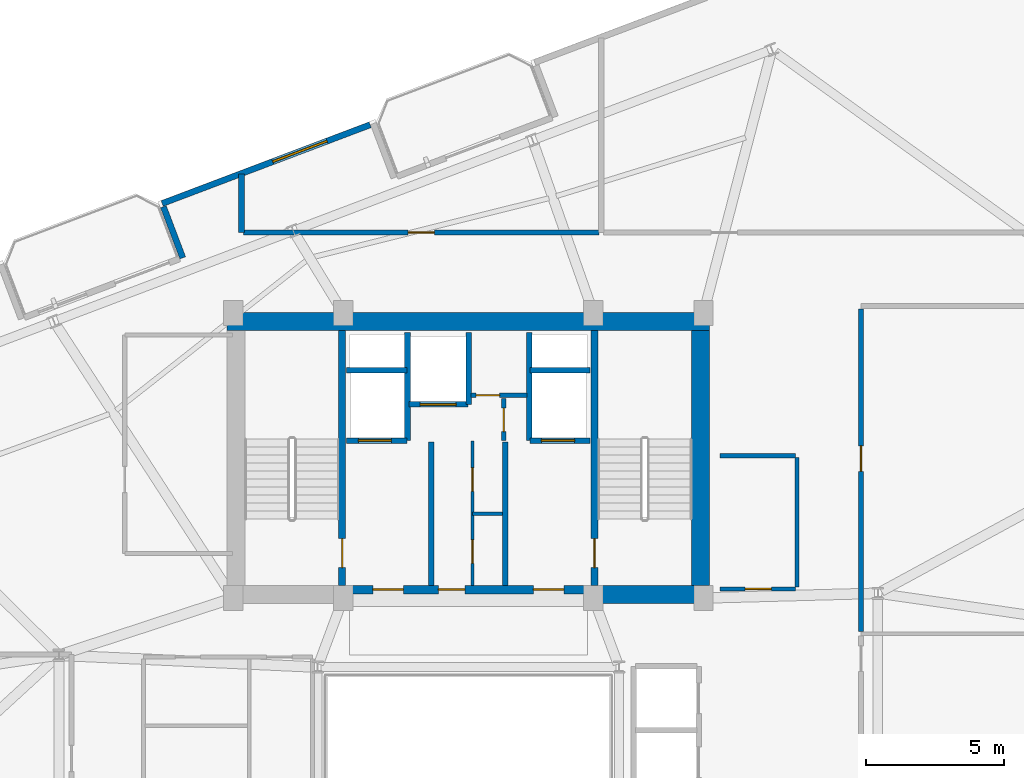
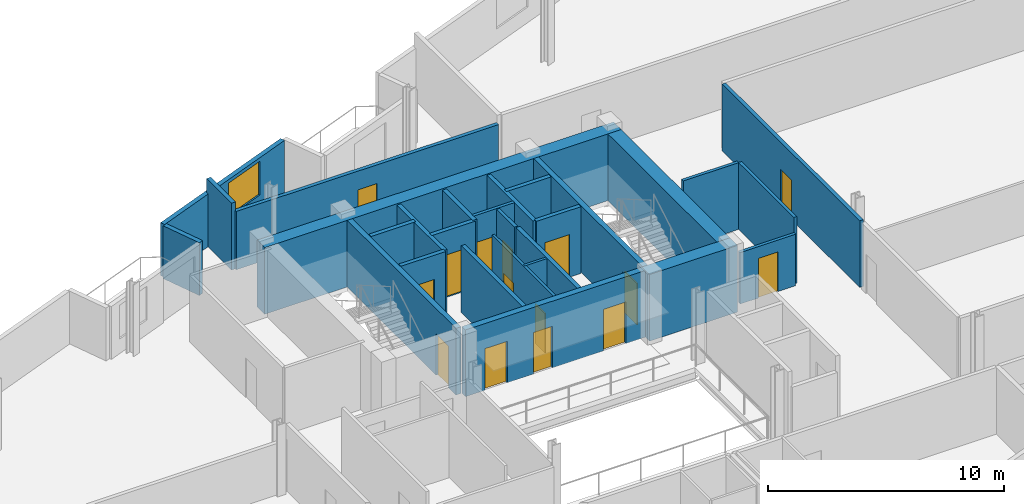
# One storey, part 16 of 19: 28 walls, 15 doors, 1 window, 16 openings.
"""IFC4 building model written with IfcOpenShell, lengths in metres."""

from ifc_helpers import new_model, si_unit, direction, frame, frame_2d, origin, place, context, subcontext, project, spatial, rectangle, extrude, material, layer, layer_set, type_object, element, fill, save


model = new_model("IFC4")

# Units and contexts
model_context = context("Model", 3, precision=1e-05, world=origin(), true_north=direction((0.0, 1.0)))
body_context = subcontext(model_context, "Body", "Model", "MODEL_VIEW")
ifc_project = project(units=[si_unit("LENGTHUNIT", "METRE"), si_unit("AREAUNIT", "SQUARE_METRE"), si_unit("VOLUMEUNIT", "CUBIC_METRE"), si_unit("PLANEANGLEUNIT", "RADIAN"), si_unit("MASSUNIT", "GRAM", prefix="KILO")], contexts=[model_context])

# Site, building, storey
site_placement = place(None, origin())
site = spatial("IfcSite", under=ifc_project, at=site_placement, CompositionType="ELEMENT")
building_placement = place(site_placement, origin())
building = spatial("IfcBuilding", under=site, at=building_placement, Name="Varnelok Gate Tower", CompositionType="ELEMENT")
storey_placement = place(building_placement, frame((0.0, 0.0, 246.0)))
storey = spatial("IfcBuildingStorey", under=building, at=storey_placement, Name="L63", CompositionType="ELEMENT", Elevation=246.0)

# Wall, opening, window
ifc_material_1 = material(Name="Concrete C45/55", Category="concrete")
ifc_layer_1 = layer(ifc_material_1, 0.219970703125)
ifc_layer_set_1 = layer_set([ifc_layer_1], Name="Concrete C45/55")
wall_type_1 = type_object("IfcWallType", Name="EW-BALC-220", PredefinedType="SOLIDWALL", material=ifc_layer_set_1)
wall_1_placement = place(storey_placement, frame((35.647705078125, 45.853515625, 0.0), z_axis=(0.0, 0.0, 1.0), x_axis=(-0.935230796934, -0.354038636968, 0.0)))
wall_1 = element("IfcWall", 1, at=wall_1_placement, inside=storey, type_object=wall_type_1, Name="L63 Perimeter Facade Closure Wall 29", PredefinedType="SOLIDWALL", context=body_context, shape_type="SweptSolid", body=[
    extrude(rectangle(XDim=8.03515625, YDim=0.219970703125, at=frame_2d((4.017578125, 0.0))), origin(), (0.0, 0.0, 1.0), 2.72998046875),
])
opening_1_placement = place(wall_1_placement, frame((1.661865234375, 0.0, 0.800048828125)))
opening_1 = element("IfcOpeningElement", 2, at=opening_1_placement, cuts=wall_1, Name="Opening WN4", PredefinedType="OPENING", context=body_context, shape_type="SweptSolid", body=[
    extrude(rectangle(XDim=2.10009765625, YDim=1.75, at=frame_2d((1.050048828125, 0.875))), frame((0.0, 0.119873046875, 0.0), z_axis=(0.0, -1.0, 0.0), x_axis=(1.0, 0.0, 0.0)), (0.0, 0.0, 1.0), 0.239990234375),
])
ifc_material_2 = material(Name="Low-E Laminated Double Glazing IGU", Category="glass")
window_type = type_object("IfcWindowType", Name="WN-SUI-2100", PartitioningType="SINGLE_PANEL", PredefinedType="WINDOW", material=ifc_material_2)
window_placement = place(opening_1_placement, origin())
window = element("IfcWindow", 3, at=window_placement, inside=storey, type_object=window_type, Name="L63 Perimeter Vision Window 29", OverallHeight=1.75, OverallWidth=2.10009765625, PartitioningType="SINGLE_PANEL", PredefinedType="WINDOW", context=body_context, shape_type="SweptSolid", body=[
    extrude(rectangle(XDim=2.10009765625, YDim=1.75, at=frame_2d((1.050048828125, 0.875))), frame((0.0, 0.030029296875, 0.0), z_axis=(0.0, -1.0, 0.0), x_axis=(1.0, 0.0, 0.0)), (0.0, 0.0, 1.0), 0.06005859375),
])
fill(opening_1, window)

# Wall
wall_2_placement = place(storey_placement, frame((28.177490234375, 42.891845703125, 0.0), z_axis=(0.0, 0.0, 1.0), x_axis=(0.354061611705, -0.935222099352, 0.0)))
element("IfcWall", 4, at=wall_2_placement, inside=storey, type_object=wall_type_1, Name="L63 Perimeter Facade Closure Wall 30", PredefinedType="SOLIDWALL", context=body_context, shape_type="SweptSolid", body=[
    extrude(rectangle(XDim=1.974853515625, YDim=0.219970703125, at=frame_2d((0.9873046875, 0.0))), origin(), (0.0, 0.0, 1.0), 2.72998046875),
])

# Wall, opening, door
ifc_material_3 = material(Name="Gypsum Plasterboard Acoustic Partition", Category="gypsum")
ifc_layer_2 = layer(ifc_material_3, 0.179931640625)
ifc_layer_set_2 = layer_set([ifc_layer_2], Name="Gypsum Plasterboard Acoustic Partition")
wall_type_2 = type_object("IfcWallType", Name="PW-CORR-180", PredefinedType="PARTITIONING", material=ifc_layer_set_2)
wall_3_placement = place(storey_placement, frame((31.080078125, 41.9599609375, 0.0), z_axis=(0.0, 0.0, 1.0), x_axis=(1.0, 0.0, 0.0)))
wall_3 = element("IfcWall", 5, at=wall_3_placement, inside=storey, type_object=wall_type_2, Name="Interior Partition", PredefinedType="PARTITIONING", context=body_context, shape_type="SweptSolid", body=[
    extrude(rectangle(XDim=12.83984375, YDim=0.179931640625, at=frame_2d((6.419921875, 0.0))), origin(), (0.0, 0.0, 1.0), 3.01806640625),
])
opening_2_placement = place(wall_3_placement, frame((5.945068359375, 0.0, 0.0)))
opening_2 = element("IfcOpeningElement", 6, at=opening_2_placement, cuts=wall_3, Name="Opening D-I2", PredefinedType="OPENING", context=body_context, shape_type="SweptSolid", body=[
    extrude(rectangle(XDim=0.949951171875, YDim=2.050048828125, at=frame_2d((0.47509765625, 1.02490234375))), frame((0.0, 0.099853515625, 0.0), z_axis=(0.0, -1.0, 0.0), x_axis=(1.0, 0.0, 0.0)), (0.0, 0.0, 1.0), 0.199951171875),
])
ifc_material_4 = material(Name="Engineered Hardwood Timber", Category="wood")
door_type_1 = type_object("IfcDoorType", Name="DR-INT-950", OperationType="NOTDEFINED", PredefinedType="DOOR", material=ifc_material_4)
door_1_placement = place(opening_2_placement, origin())
door_1 = element("IfcDoor", 7, at=door_1_placement, inside=storey, type_object=door_type_1, Name="L63 Hotel Fitness Studio Door", OperationType="SINGLE_SWING_LEFT", OverallHeight=2.050048828125, OverallWidth=0.949951171875, PredefinedType="DOOR", context=body_context, shape_type="SweptSolid", body=[
    extrude(rectangle(XDim=0.949951171875, YDim=2.050048828125, at=frame_2d((0.47509765625, 1.02490234375))), frame((0.0, 0.02490234375, 0.0), z_axis=(0.0, -1.0, 0.0), x_axis=(1.0, 0.0, 0.0)), (0.0, 0.0, 1.0), 0.050048828125),
])
fill(opening_2, door_1)

wall_4_placement = place(storey_placement, frame((53.389892578125, 27.530029296875, 0.0), z_axis=(0.0, 0.0, 1.0), x_axis=(0.0, 1.0, 0.0)))
wall_4 = element("IfcWall", 8, at=wall_4_placement, inside=storey, type_object=wall_type_2, Name="Interior Partition", PredefinedType="PARTITIONING", context=body_context, shape_type="SweptSolid", body=[
    extrude(rectangle(XDim=11.669921875, YDim=0.179931640625, at=frame_2d((5.8349609375, 0.0))), origin(), (0.0, 0.0, 1.0), 3.449951171875),
])
opening_3_placement = place(wall_4_placement, frame((5.800048828125, 0.0, 0.0)))
opening_3 = element("IfcOpeningElement", 9, at=opening_3_placement, cuts=wall_4, Name="Opening D-I3", PredefinedType="OPENING", context=body_context, shape_type="SweptSolid", body=[
    extrude(rectangle(XDim=0.919921875, YDim=2.050048828125, at=frame_2d((0.4599609375, 1.02490234375))), frame((0.0, 0.099853515625, 0.0), z_axis=(0.0, -1.0, 0.0), x_axis=(1.0, 0.0, 0.0)), (0.0, 0.0, 1.0), 0.199951171875),
])
door_type_2 = type_object("IfcDoorType", Name="DR-INT-920", OperationType="NOTDEFINED", PredefinedType="DOOR", material=ifc_material_4)
door_2_placement = place(opening_3_placement, origin())
door_2 = element("IfcDoor", 10, at=door_2_placement, inside=storey, type_object=door_type_2, Name="L63 East Suite 2 Door", OperationType="SINGLE_SWING_RIGHT", OverallHeight=2.050048828125, OverallWidth=0.919921875, PredefinedType="DOOR", context=body_context, shape_type="SweptSolid", body=[
    extrude(rectangle(XDim=0.919921875, YDim=2.050048828125, at=frame_2d((0.4599609375, 1.02490234375))), frame((0.0, 0.02490234375, 0.0), z_axis=(0.0, -1.0, 0.0), x_axis=(1.0, 0.0, 0.0)), (0.0, 0.0, 1.0), 0.050048828125),
])
fill(opening_3, door_2)

# Wall
ifc_layer_3 = layer(ifc_material_3, 0.125)
ifc_layer_set_3 = layer_set([ifc_layer_3], Name="Gypsum Plasterboard Acoustic Partition")
wall_type_3 = type_object("IfcWallType", Name="PW-PART-125", PredefinedType="PARTITIONING", material=ifc_layer_set_3)
wall_5_placement = place(storey_placement, frame((39.35009765625, 31.800048828125, 0.0), z_axis=(0.0, 0.0, 1.0), x_axis=(1.0, 0.0, 0.0)))
element("IfcWall", 11, at=wall_5_placement, inside=storey, type_object=wall_type_3, Name="Interior Partition", PredefinedType="PARTITIONING", context=body_context, shape_type="SweptSolid", body=[
    extrude(rectangle(XDim=1.08984375, YDim=0.125, at=frame_2d((0.544921875, 0.0))), origin(), (0.0, 0.0, 1.0), 3.449951171875),
])

# Wall, openings, doors
wall_6_placement = place(storey_placement, frame((39.35009765625, 29.199951171875, 0.0), z_axis=(0.0, 0.0, 1.0), x_axis=(0.0, 1.0, 0.0)))
wall_6 = element("IfcWall", 12, at=wall_6_placement, inside=storey, type_object=wall_type_3, Name="Interior Partition", PredefinedType="PARTITIONING", context=body_context, shape_type="SweptSolid", body=[
    extrude(rectangle(XDim=5.219970703125, YDim=0.125, at=frame_2d((2.60986328125, 0.0))), origin(), (0.0, 0.0, 1.0), 3.449951171875),
])
opening_4_placement = place(wall_6_placement, frame((0.800048828125, 0.0, 0.0)))
opening_4 = element("IfcOpeningElement", 13, at=opening_4_placement, cuts=wall_6, Name="Opening D-RS", PredefinedType="OPENING", context=body_context, shape_type="SweptSolid", body=[
    extrude(rectangle(XDim=0.85009765625, YDim=2.050048828125, at=frame_2d((0.425048828125, 1.02490234375))), frame((0.0, 0.072509765625, 0.0), z_axis=(0.0, -1.0, 0.0), x_axis=(1.0, 0.0, 0.0)), (0.0, 0.0, 1.0), 0.14501953125),
])
opening_5_placement = place(wall_6_placement, frame((3.39990234375, 0.0, 0.0)))
opening_5 = element("IfcOpeningElement", 14, at=opening_5_placement, cuts=wall_6, Name="Opening D-RS", PredefinedType="OPENING", context=body_context, shape_type="SweptSolid", body=[
    extrude(rectangle(XDim=0.85009765625, YDim=2.050048828125, at=frame_2d((0.425048828125, 1.02490234375))), frame((0.0, 0.072509765625, 0.0), z_axis=(0.0, -1.0, 0.0), x_axis=(1.0, 0.0, 0.0)), (0.0, 0.0, 1.0), 0.14501953125),
])
ifc_material_5 = material(Name="Galvanized Steel Grade S350GD", Category="steel")
door_type_3 = type_object("IfcDoorType", Name="DR-RISER-850", OperationType="NOTDEFINED", PredefinedType="DOOR", material=ifc_material_5)
door_3_placement = place(opening_4_placement, origin())
door_3 = element("IfcDoor", 15, at=door_3_placement, inside=storey, type_object=door_type_3, Name="L63 Housekeeping Linen Door", OperationType="SINGLE_SWING_RIGHT", OverallHeight=2.050048828125, OverallWidth=0.85009765625, PredefinedType="DOOR", context=body_context, shape_type="SweptSolid", body=[
    extrude(rectangle(XDim=0.85009765625, YDim=2.050048828125, at=frame_2d((0.425048828125, 1.02490234375))), frame((0.0, 0.02490234375, 0.0), z_axis=(0.0, -1.0, 0.0), x_axis=(1.0, 0.0, 0.0)), (0.0, 0.0, 1.0), 0.050048828125),
])
fill(opening_4, door_3)
door_4_placement = place(opening_5_placement, origin())
door_4 = element("IfcDoor", 16, at=door_4_placement, inside=storey, type_object=door_type_3, Name="L63 Core Supply Door", OperationType="SINGLE_SWING_LEFT", OverallHeight=2.050048828125, OverallWidth=0.85009765625, PredefinedType="DOOR", context=body_context, shape_type="SweptSolid", body=[
    extrude(rectangle(XDim=0.85009765625, YDim=2.050048828125, at=frame_2d((0.425048828125, 1.02490234375))), frame((0.0, 0.02490234375, 0.0), z_axis=(0.0, -1.0, 0.0), x_axis=(1.0, 0.0, 0.0)), (0.0, 0.0, 1.0), 0.050048828125),
])
fill(opening_5, door_4)

# Wall, opening, door
ifc_layer_4 = layer(ifc_material_3, 0.14990234375)
ifc_layer_set_4 = layer_set([ifc_layer_4], Name="Gypsum Plasterboard Acoustic Partition")
wall_type_4 = type_object("IfcWallType", Name="PW-PART-150", PredefinedType="PARTITIONING", material=ifc_layer_set_4)
wall_7_placement = place(storey_placement, frame((39.300048828125, 36.080078125, 0.0), z_axis=(0.0, 0.0, 1.0), x_axis=(1.0, 0.0, 0.0)))
wall_7 = element("IfcWall", 17, at=wall_7_placement, inside=storey, type_object=wall_type_4, Name="L63 Electrical Closet South Wall", PredefinedType="PARTITIONING", context=body_context, shape_type="SweptSolid", body=[
    extrude(rectangle(XDim=2.02001953125, YDim=0.14990234375, at=frame_2d((1.010009765625, 0.0))), origin(), (0.0, 0.0, 1.0), 3.449951171875),
])
opening_6_placement = place(wall_7_placement, frame((0.179931640625, 0.0, 0.0)))
opening_6 = element("IfcOpeningElement", 18, at=opening_6_placement, cuts=wall_7, Name="Opening D-RS", PredefinedType="OPENING", context=body_context, shape_type="SweptSolid", body=[
    extrude(rectangle(XDim=0.85009765625, YDim=2.050048828125, at=frame_2d((0.425048828125, 1.02490234375))), frame((0.0, 0.0849609375, 0.0), z_axis=(0.0, -1.0, 0.0), x_axis=(1.0, 0.0, 0.0)), (0.0, 0.0, 1.0), 0.169921875),
])
door_5_placement = place(opening_6_placement, origin())
door_5 = element("IfcDoor", 19, at=door_5_placement, inside=storey, type_object=door_type_3, Name="L63 Electrical Closet Door", OperationType="SINGLE_SWING_RIGHT", OverallHeight=2.050048828125, OverallWidth=0.85009765625, PredefinedType="DOOR", context=body_context, shape_type="SweptSolid", body=[
    extrude(rectangle(XDim=0.85009765625, YDim=2.050048828125, at=frame_2d((0.425048828125, 1.02490234375))), frame((0.0, 0.02490234375, 0.0), z_axis=(0.0, -1.0, 0.0), x_axis=(1.0, 0.0, 0.0)), (0.0, 0.0, 1.0), 0.050048828125),
])
fill(opening_6, door_5)

wall_8_placement = place(storey_placement, frame((40.47998046875, 34.43994140625, 0.0), z_axis=(0.0, 0.0, 1.0), x_axis=(0.0, 1.0, 0.0)))
wall_8 = element("IfcWall", 20, at=wall_8_placement, inside=storey, type_object=wall_type_4, Name="L63 Telecoms Closet West Wall", PredefinedType="PARTITIONING", context=body_context, shape_type="SweptSolid", body=[
    extrude(rectangle(XDim=1.52001953125, YDim=0.14990234375, at=frame_2d((0.760009765625, 0.0))), origin(), (0.0, 0.0, 1.0), 3.449951171875),
])
opening_7_placement = place(wall_8_placement, frame((0.320068359375, 0.0, 0.0)))
opening_7 = element("IfcOpeningElement", 21, at=opening_7_placement, cuts=wall_8, Name="Opening D-RS", PredefinedType="OPENING", context=body_context, shape_type="SweptSolid", body=[
    extrude(rectangle(XDim=0.85009765625, YDim=2.050048828125, at=frame_2d((0.425048828125, 1.02490234375))), frame((0.0, 0.0849609375, 0.0), z_axis=(0.0, -1.0, 0.0), x_axis=(1.0, 0.0, 0.0)), (0.0, 0.0, 1.0), 0.169921875),
])
door_6_placement = place(opening_7_placement, origin())
door_6 = element("IfcDoor", 22, at=door_6_placement, inside=storey, type_object=door_type_3, Name="L63 Telecoms Closet Door", OperationType="SINGLE_SWING_LEFT", OverallHeight=2.050048828125, OverallWidth=0.85009765625, PredefinedType="DOOR", context=body_context, shape_type="SweptSolid", body=[
    extrude(rectangle(XDim=0.85009765625, YDim=2.050048828125, at=frame_2d((0.425048828125, 1.02490234375))), frame((0.0, 0.02490234375, 0.0), z_axis=(0.0, -1.0, 0.0), x_axis=(1.0, 0.0, 0.0)), (0.0, 0.0, 1.0), 0.050048828125),
])
fill(opening_7, door_6)

wall_9_placement = place(storey_placement, frame((48.300048828125, 29.080078125, 0.0), z_axis=(0.0, 0.0, 1.0), x_axis=(1.0, 0.0, 0.0)))
wall_9 = element("IfcWall", 23, at=wall_9_placement, inside=storey, type_object=wall_type_4, Name="Interior Partition", PredefinedType="PARTITIONING", context=body_context, shape_type="SweptSolid", body=[
    extrude(rectangle(XDim=2.719970703125, YDim=0.14990234375, at=frame_2d((1.35986328125, 0.0))), origin(), (0.0, 0.0, 1.0), 2.662109375),
])
opening_8_placement = place(wall_9_placement, frame((0.89990234375, 0.0, 0.0)))
opening_8 = element("IfcOpeningElement", 24, at=opening_8_placement, cuts=wall_9, Name="Opening D-I2", PredefinedType="OPENING", context=body_context, shape_type="SweptSolid", body=[
    extrude(rectangle(XDim=0.949951171875, YDim=2.050048828125, at=frame_2d((0.47509765625, 1.02490234375))), frame((0.0, 0.0849609375, 0.0), z_axis=(0.0, -1.0, 0.0), x_axis=(1.0, 0.0, 0.0)), (0.0, 0.0, 1.0), 0.169921875),
])
door_7_placement = place(opening_8_placement, origin())
door_7 = element("IfcDoor", 25, at=door_7_placement, inside=storey, type_object=door_type_1, Name="L63 Reclaimed Trunk Store Door", OperationType="SINGLE_SWING_LEFT", OverallHeight=2.050048828125, OverallWidth=0.949951171875, PredefinedType="DOOR", context=body_context, shape_type="SweptSolid", body=[
    extrude(rectangle(XDim=0.949951171875, YDim=2.050048828125, at=frame_2d((0.47509765625, 1.02490234375))), frame((0.0, 0.02490234375, 0.0), z_axis=(0.0, -1.0, 0.0), x_axis=(1.0, 0.0, 0.0)), (0.0, 0.0, 1.0), 0.050048828125),
])
fill(opening_8, door_7)

# Walls
wall_10_placement = place(storey_placement, frame((48.300048828125, 33.889892578125, 0.0), z_axis=(0.0, 0.0, 1.0), x_axis=(1.0, 0.0, 0.0)))
element("IfcWall", 26, at=wall_10_placement, inside=storey, type_object=wall_type_4, Name="Interior Partition", PredefinedType="PARTITIONING", context=body_context, shape_type="SweptSolid", body=[
    extrude(rectangle(XDim=2.719970703125, YDim=0.14990234375, at=frame_2d((1.35986328125, 0.0))), origin(), (0.0, 0.0, 1.0), 3.449951171875),
])
wall_11_placement = place(storey_placement, frame((51.080078125, 29.139892578125, 0.0), z_axis=(0.0, 0.0, 1.0), x_axis=(0.0, 1.0, 0.0)))
element("IfcWall", 27, at=wall_11_placement, inside=storey, type_object=wall_type_4, Name="Interior Partition", PredefinedType="PARTITIONING", context=body_context, shape_type="SweptSolid", body=[
    extrude(rectangle(XDim=4.690185546875, YDim=0.14990234375, at=frame_2d((2.34521484375, 0.0))), origin(), (0.0, 0.0, 1.0), 3.449951171875),
])
ifc_layer_5 = layer(ifc_material_3, 0.205078125)
ifc_layer_set_5 = layer_set([ifc_layer_5], Name="Gypsum Plasterboard Acoustic Partition")
wall_type_5 = type_object("IfcWallType", Name="PW-PARTY-200", PredefinedType="PARTITIONING", material=ifc_layer_set_5)
wall_12_placement = place(storey_placement, frame((31.0, 41.9599609375, 0.0), z_axis=(0.0, 0.0, 1.0), x_axis=(0.0, 1.0, 0.0)))
element("IfcWall", 28, at=wall_12_placement, inside=storey, type_object=wall_type_5, Name="L63 North Party Wall 1", PredefinedType="PARTITIONING", context=body_context, shape_type="SweptSolid", body=[
    extrude(rectangle(XDim=2.11279296875, YDim=0.205078125, at=frame_2d((1.056396484375, 0.0))), origin(), (0.0, 0.0, 1.0), 3.449951171875),
])
ifc_material_6 = material(Name="Concrete C35/45", Category="concrete")
ifc_layer_6 = layer(ifc_material_6, 0.199951171875)
ifc_layer_set_6 = layer_set([ifc_layer_6], Name="Concrete C35/45")
wall_type_6 = type_object("IfcWallType", Name="PW-SHAFT-200", PredefinedType="PARTITIONING", material=ifc_layer_set_6)
for number, where, z_axis, x_axis, name in (
    (29, (37.860107421875, 29.199951171875, 0.0), (0.0, 0.0, 1.0), (0.0, 1.0, 0.0), "L63 West FF Lobby Rated Wall"),
    (30, (40.5400390625, 29.199951171875, 0.0), (0.0, 0.0, 1.0), (0.0, 1.0, 0.0), "L63 East FF Lobby Rated Wall"),
):
    element("IfcWall", number, at=place(storey_placement, frame(where, z_axis=z_axis, x_axis=x_axis)), inside=storey, type_object=wall_type_6, Name=name, PredefinedType="PARTITIONING", context=body_context, shape_type="SweptSolid", body=[
        extrude(rectangle(XDim=5.179931640625, YDim=0.199951171875, at=frame_2d((2.58984375, 0.0))), origin(), (0.0, 0.0, 1.0), 3.449951171875),
    ])

# Wall, opening, door
wall_13_placement = place(storey_placement, frame((34.800048828125, 34.43994140625, 0.0), z_axis=(0.0, 0.0, 1.0), x_axis=(1.0, 0.0, 0.0)))
wall_13 = element("IfcWall", 31, at=wall_13_placement, inside=storey, type_object=wall_type_6, Name="L63 FF1 Shaft Front Wall", PredefinedType="PARTITIONING", context=body_context, shape_type="SweptSolid", body=[
    extrude(rectangle(XDim=2.179931640625, YDim=0.199951171875, at=frame_2d((1.08984375, 0.0))), origin(), (0.0, 0.0, 1.0), 3.449951171875),
])
opening_9_placement = place(wall_13_placement, frame((0.419921875, 0.0, 0.0)))
opening_9 = element("IfcOpeningElement", 32, at=opening_9_placement, cuts=wall_13, Name="Opening LD-FF1", PredefinedType="OPENING", context=body_context, shape_type="SweptSolid", body=[
    extrude(rectangle(XDim=1.199951171875, YDim=2.199951171875, at=frame_2d((0.60009765625, 1.10009765625))), frame((0.0, 0.10986328125, 0.0), z_axis=(0.0, -1.0, 0.0), x_axis=(1.0, 0.0, 0.0)), (0.0, 0.0, 1.0), 0.219970703125),
])
door_type_4 = type_object("IfcDoorType", Name="DR-LIFT-FF1200", OperationType="SLIDING_TO_LEFT", PredefinedType="DOOR", material=ifc_material_5)
door_8_placement = place(opening_9_placement, origin())
door_8 = element("IfcDoor", 33, at=door_8_placement, inside=storey, type_object=door_type_4, Name="L63 Firefighting Lift Landing Door LD-FF1", OperationType="SLIDING_TO_LEFT", OverallHeight=2.199951171875, OverallWidth=1.199951171875, PredefinedType="DOOR", context=body_context, shape_type="SweptSolid", body=[
    extrude(rectangle(XDim=1.199951171875, YDim=2.199951171875, at=frame_2d((0.60009765625, 1.10009765625))), frame((0.0, 0.02490234375, 0.0), z_axis=(0.0, -1.0, 0.0), x_axis=(1.0, 0.0, 0.0)), (0.0, 0.0, 1.0), 0.050048828125),
])
fill(opening_9, door_8)

# Walls
wall_14_placement = place(storey_placement, frame((34.800048828125, 36.97998046875, 0.0), z_axis=(0.0, 0.0, 1.0), x_axis=(1.0, 0.0, 0.0)))
element("IfcWall", 34, at=wall_14_placement, inside=storey, type_object=wall_type_6, Name="L63 FF1 Shaft North Wall", PredefinedType="PARTITIONING", context=body_context, shape_type="SweptSolid", body=[
    extrude(rectangle(XDim=2.179931640625, YDim=0.199951171875, at=frame_2d((1.08984375, 0.0))), origin(), (0.0, 0.0, 1.0), 3.449951171875),
])
wall_15_placement = place(storey_placement, frame((37.0, 34.43994140625, 0.0), z_axis=(0.0, 0.0, 1.0), x_axis=(0.0, 1.0, 0.0)))
element("IfcWall", 35, at=wall_15_placement, inside=storey, type_object=wall_type_6, Name="L63 FF1 Shaft Side Wall", PredefinedType="PARTITIONING", context=body_context, shape_type="SweptSolid", body=[
    extrude(rectangle(XDim=3.900146484375, YDim=0.199951171875, at=frame_2d((1.9501953125, 0.0))), origin(), (0.0, 0.0, 1.0), 3.449951171875),
])

# Wall, opening, door
wall_16_placement = place(storey_placement, frame((41.419921875, 34.43994140625, 0.0), z_axis=(0.0, 0.0, 1.0), x_axis=(1.0, 0.0, 0.0)))
wall_16 = element("IfcWall", 36, at=wall_16_placement, inside=storey, type_object=wall_type_6, Name="L63 FF2 Shaft Front Wall", PredefinedType="PARTITIONING", context=body_context, shape_type="SweptSolid", body=[
    extrude(rectangle(XDim=2.18017578125, YDim=0.199951171875, at=frame_2d((1.090087890625, 0.0))), origin(), (0.0, 0.0, 1.0), 3.449951171875),
])
opening_10_placement = place(wall_16_placement, frame((0.419921875, 0.0, 0.0)))
opening_10 = element("IfcOpeningElement", 37, at=opening_10_placement, cuts=wall_16, Name="Opening LD-FF2", PredefinedType="OPENING", context=body_context, shape_type="SweptSolid", body=[
    extrude(rectangle(XDim=1.199951171875, YDim=2.199951171875, at=frame_2d((0.60009765625, 1.10009765625))), frame((0.0, 0.10986328125, 0.0), z_axis=(0.0, -1.0, 0.0), x_axis=(1.0, 0.0, 0.0)), (0.0, 0.0, 1.0), 0.219970703125),
])
door_9_placement = place(opening_10_placement, origin())
door_9 = element("IfcDoor", 38, at=door_9_placement, inside=storey, type_object=door_type_4, Name="L63 Firefighting Lift Landing Door LD-FF2", OperationType="SLIDING_TO_LEFT", OverallHeight=2.199951171875, OverallWidth=1.199951171875, PredefinedType="DOOR", context=body_context, shape_type="SweptSolid", body=[
    extrude(rectangle(XDim=1.199951171875, YDim=2.199951171875, at=frame_2d((0.60009765625, 1.10009765625))), frame((0.0, 0.02490234375, 0.0), z_axis=(0.0, -1.0, 0.0), x_axis=(1.0, 0.0, 0.0)), (0.0, 0.0, 1.0), 0.050048828125),
])
fill(opening_10, door_9)

# Walls
wall_17_placement = place(storey_placement, frame((41.419921875, 36.97998046875, 0.0), z_axis=(0.0, 0.0, 1.0), x_axis=(1.0, 0.0, 0.0)))
element("IfcWall", 39, at=wall_17_placement, inside=storey, type_object=wall_type_6, Name="L63 FF2 Shaft North Wall", PredefinedType="PARTITIONING", context=body_context, shape_type="SweptSolid", body=[
    extrude(rectangle(XDim=2.18017578125, YDim=0.199951171875, at=frame_2d((1.090087890625, 0.0))), origin(), (0.0, 0.0, 1.0), 3.449951171875),
])
wall_18_placement = place(storey_placement, frame((41.39990234375, 34.43994140625, 0.0), z_axis=(0.0, 0.0, 1.0), x_axis=(0.0, 1.0, 0.0)))
element("IfcWall", 40, at=wall_18_placement, inside=storey, type_object=wall_type_6, Name="L63 FF2 Shaft Side Wall", PredefinedType="PARTITIONING", context=body_context, shape_type="SweptSolid", body=[
    extrude(rectangle(XDim=3.900146484375, YDim=0.199951171875, at=frame_2d((1.9501953125, 0.0))), origin(), (0.0, 0.0, 1.0), 3.449951171875),
])

# Wall, opening, door
wall_19_placement = place(storey_placement, frame((37.06005859375, 35.75, 0.0), z_axis=(0.0, 0.0, 1.0), x_axis=(1.0, 0.0, 0.0)))
wall_19 = element("IfcWall", 41, at=wall_19_placement, inside=storey, type_object=wall_type_6, Name="L63 SV1 Shaft Front Wall", PredefinedType="PARTITIONING", context=body_context, shape_type="SweptSolid", body=[
    extrude(rectangle(XDim=2.119873046875, YDim=0.199951171875, at=frame_2d((1.06005859375, 0.0))), origin(), (0.0, 0.0, 1.0), 3.449951171875),
])
opening_11_placement = place(wall_19_placement, frame((0.39990234375, 0.0, 0.0)))
opening_11 = element("IfcOpeningElement", 42, at=opening_11_placement, cuts=wall_19, Name="Opening LD-SV1", PredefinedType="OPENING", context=body_context, shape_type="SweptSolid", body=[
    extrude(rectangle(XDim=1.300048828125, YDim=2.199951171875, at=frame_2d((0.64990234375, 1.10009765625))), frame((0.0, 0.10986328125, 0.0), z_axis=(0.0, -1.0, 0.0), x_axis=(1.0, 0.0, 0.0)), (0.0, 0.0, 1.0), 0.219970703125),
])
door_type_5 = type_object("IfcDoorType", Name="DR-LIFT-SV1300", OperationType="SLIDING_TO_LEFT", PredefinedType="DOOR", material=ifc_material_5)
door_10_placement = place(opening_11_placement, origin())
door_10 = element("IfcDoor", 43, at=door_10_placement, inside=storey, type_object=door_type_5, Name="L63 Service Lift Landing Door LD-SV1", OperationType="SLIDING_TO_LEFT", OverallHeight=2.199951171875, OverallWidth=1.300048828125, PredefinedType="DOOR", context=body_context, shape_type="SweptSolid", body=[
    extrude(rectangle(XDim=1.300048828125, YDim=2.199951171875, at=frame_2d((0.64990234375, 1.10009765625))), frame((0.0, 0.02490234375, 0.0), z_axis=(0.0, -1.0, 0.0), x_axis=(1.0, 0.0, 0.0)), (0.0, 0.0, 1.0), 0.050048828125),
])
fill(opening_11, door_10)

# Walls
wall_20_placement = place(storey_placement, frame((39.219970703125, 35.75, 0.0), z_axis=(0.0, 0.0, 1.0), x_axis=(0.0, 1.0, 0.0)))
element("IfcWall", 44, at=wall_20_placement, inside=storey, type_object=wall_type_6, Name="L63 SV1 Shaft East Wall", PredefinedType="PARTITIONING", context=body_context, shape_type="SweptSolid", body=[
    extrude(rectangle(XDim=2.590087890625, YDim=0.199951171875, at=frame_2d((1.294921875, 0.0))), origin(), (0.0, 0.0, 1.0), 3.449951171875),
])
ifc_material_7 = material(Name="Concrete C60/75", Category="concrete")
ifc_layer_7 = layer(ifc_material_7, 0.64990234375)
ifc_layer_set_7 = layer_set([ifc_layer_7], Name="Concrete C60/75")
wall_type_7 = type_object("IfcWallType", Name="SW-CORE-650", PredefinedType="SHEAR", material=ifc_layer_set_7)
wall_21_placement = place(storey_placement, frame((30.47998046875, 38.7451171875, 0.0), z_axis=(0.0, 0.0, 1.0), x_axis=(1.0, 0.0, 0.0)))
element("IfcWall", 45, at=wall_21_placement, inside=storey, type_object=wall_type_7, Name="L63 Rear Core North Shear Wall", PredefinedType="SHEAR", context=body_context, shape_type="SweptSolid", body=[
    extrude(rectangle(XDim=17.43994140625, YDim=0.64990234375, at=frame_2d((8.719970703125, 0.0))), origin(), (0.0, 0.0, 1.0), 3.449951171875),
])
wall_22_placement = place(storey_placement, frame((47.594970703125, 29.199951171875, 0.0), z_axis=(0.0, 0.0, 1.0), x_axis=(0.0, 1.0, 0.0)))
element("IfcWall", 46, at=wall_22_placement, inside=storey, type_object=wall_type_7, Name="L63 Rear Core East Shear Wall", PredefinedType="SHEAR", context=body_context, shape_type="SweptSolid", body=[
    extrude(rectangle(XDim=9.219970703125, YDim=0.64990234375, at=frame_2d((4.60986328125, 0.0))), origin(), (0.0, 0.0, 1.0), 3.449951171875),
])
wall_23_placement = place(storey_placement, frame((43.60009765625, 28.875, 0.0), z_axis=(0.0, 0.0, 1.0), x_axis=(1.0, 0.0, 0.0)))
element("IfcWall", 47, at=wall_23_placement, inside=storey, type_object=wall_type_7, Name="L63 Rear Core South-East Shear Wall", PredefinedType="SHEAR", context=body_context, shape_type="SweptSolid", body=[
    extrude(rectangle(XDim=4.31982421875, YDim=0.64990234375, at=frame_2d((2.159912109375, 0.0))), origin(), (0.0, 0.0, 1.0), 3.449951171875),
])

# Wall, opening, door
ifc_layer_8 = layer(ifc_material_7, 0.25)
ifc_layer_set_8 = layer_set([ifc_layer_8], Name="Concrete C60/75")
wall_type_8 = type_object("IfcWallType", Name="SW-SHAFT-250", PredefinedType="SHEAR", material=ifc_layer_set_8)
wall_24_placement = place(storey_placement, frame((34.639892578125, 29.199951171875, 0.0), z_axis=(0.0, 0.0, 1.0), x_axis=(0.0, 1.0, 0.0)))
wall_24 = element("IfcWall", 48, at=wall_24_placement, inside=storey, type_object=wall_type_8, Name="L63 Stair ST-1 East Shear Wall", PredefinedType="SHEAR", context=body_context, shape_type="SweptSolid", body=[
    extrude(rectangle(XDim=9.219970703125, YDim=0.25, at=frame_2d((4.60986328125, 0.0))), origin(), (0.0, 0.0, 1.0), 3.449951171875),
])
opening_12_placement = place(wall_24_placement, frame((0.64990234375, 0.0, 0.0)))
opening_12 = element("IfcOpeningElement", 49, at=opening_12_placement, cuts=wall_24, Name="Opening D-ST", PredefinedType="OPENING", context=body_context, shape_type="SweptSolid", body=[
    extrude(rectangle(XDim=1.050048828125, YDim=2.14990234375, at=frame_2d((0.52490234375, 1.074951171875))), frame((0.0, 0.135009765625, 0.0), z_axis=(0.0, -1.0, 0.0), x_axis=(1.0, 0.0, 0.0)), (0.0, 0.0, 1.0), 0.27001953125),
])
door_type_6 = type_object("IfcDoorType", Name="DR-STAIR-1050", OperationType="NOTDEFINED", PredefinedType="DOOR", material=ifc_material_5)
door_11_placement = place(opening_12_placement, origin())
door_11 = element("IfcDoor", 50, at=door_11_placement, inside=storey, type_object=door_type_6, Name="L63 Exit Stair ST-1 Fire Door", OperationType="SINGLE_SWING_LEFT", OverallHeight=2.14990234375, OverallWidth=1.050048828125, PredefinedType="DOOR", context=body_context, shape_type="SweptSolid", body=[
    extrude(rectangle(XDim=1.050048828125, YDim=2.14990234375, at=frame_2d((0.52490234375, 1.074951171875))), frame((0.0, 0.02490234375, 0.0), z_axis=(0.0, -1.0, 0.0), x_axis=(1.0, 0.0, 0.0)), (0.0, 0.0, 1.0), 0.050048828125),
])
fill(opening_12, door_11)

wall_25_placement = place(storey_placement, frame((43.760009765625, 29.199951171875, 0.0), z_axis=(0.0, 0.0, 1.0), x_axis=(0.0, 1.0, 0.0)))
wall_25 = element("IfcWall", 51, at=wall_25_placement, inside=storey, type_object=wall_type_8, Name="L63 Stair ST-2 West Shear Wall", PredefinedType="SHEAR", context=body_context, shape_type="SweptSolid", body=[
    extrude(rectangle(XDim=9.219970703125, YDim=0.25, at=frame_2d((4.60986328125, 0.0))), origin(), (0.0, 0.0, 1.0), 3.449951171875),
])
opening_13_placement = place(wall_25_placement, frame((0.64990234375, 0.0, 0.0)))
opening_13 = element("IfcOpeningElement", 52, at=opening_13_placement, cuts=wall_25, Name="Opening D-ST", PredefinedType="OPENING", context=body_context, shape_type="SweptSolid", body=[
    extrude(rectangle(XDim=1.050048828125, YDim=2.14990234375, at=frame_2d((0.52490234375, 1.074951171875))), frame((0.0, 0.135009765625, 0.0), z_axis=(0.0, -1.0, 0.0), x_axis=(1.0, 0.0, 0.0)), (0.0, 0.0, 1.0), 0.27001953125),
])
door_12_placement = place(opening_13_placement, origin())
door_12 = element("IfcDoor", 53, at=door_12_placement, inside=storey, type_object=door_type_6, Name="L63 Exit Stair ST-2 Fire Door", OperationType="SINGLE_SWING_RIGHT", OverallHeight=2.14990234375, OverallWidth=1.050048828125, PredefinedType="DOOR", context=body_context, shape_type="SweptSolid", body=[
    extrude(rectangle(XDim=1.050048828125, YDim=2.14990234375, at=frame_2d((0.52490234375, 1.074951171875))), frame((0.0, 0.02490234375, 0.0), z_axis=(0.0, -1.0, 0.0), x_axis=(1.0, 0.0, 0.0)), (0.0, 0.0, 1.0), 0.050048828125),
])
fill(opening_13, door_12)

# Wall, openings, doors
ifc_layer_9 = layer(ifc_material_7, 0.300048828125)
ifc_layer_set_9 = layer_set([ifc_layer_9], Name="Concrete C60/75")
wall_type_9 = type_object("IfcWallType", Name="SW-SHAFT-300", PredefinedType="SHEAR", material=ifc_layer_set_9)
wall_26_placement = place(storey_placement, frame((34.800048828125, 29.050048828125, 0.0), z_axis=(0.0, 0.0, 1.0), x_axis=(1.0, 0.0, 0.0)))
wall_26 = element("IfcWall", 54, at=wall_26_placement, inside=storey, type_object=wall_type_9, Name="L63 Rear Core Central Lobby Shear Wall", PredefinedType="SHEAR", context=body_context, shape_type="SweptSolid", body=[
    extrude(rectangle(XDim=8.800048828125, YDim=0.300048828125, at=frame_2d((4.39990234375, 0.0))), origin(), (0.0, 0.0, 1.0), 3.449951171875),
])
opening_14_placement = place(wall_26_placement, frame((0.949951171875, 0.0, 0.0)))
opening_14 = element("IfcOpeningElement", 55, at=opening_14_placement, cuts=wall_26, Name="Opening D-FF", PredefinedType="OPENING", context=body_context, shape_type="SweptSolid", body=[
    extrude(rectangle(XDim=1.10009765625, YDim=2.14990234375, at=frame_2d((0.550048828125, 1.074951171875))), frame((0.0, 0.159912109375, 0.0), z_axis=(0.0, -1.0, 0.0), x_axis=(1.0, 0.0, 0.0)), (0.0, 0.0, 1.0), 0.320068359375),
])
opening_15_placement = place(wall_26_placement, frame((6.75, 0.0, 0.0)))
opening_15 = element("IfcOpeningElement", 56, at=opening_15_placement, cuts=wall_26, Name="Opening D-FF", PredefinedType="OPENING", context=body_context, shape_type="SweptSolid", body=[
    extrude(rectangle(XDim=1.10009765625, YDim=2.14990234375, at=frame_2d((0.550048828125, 1.074951171875))), frame((0.0, 0.159912109375, 0.0), z_axis=(0.0, -1.0, 0.0), x_axis=(1.0, 0.0, 0.0)), (0.0, 0.0, 1.0), 0.320068359375),
])
opening_16_placement = place(wall_26_placement, frame((3.320068359375, 0.0, 0.0)))
opening_16 = element("IfcOpeningElement", 57, at=opening_16_placement, cuts=wall_26, Name="Opening D-CR", PredefinedType="OPENING", context=body_context, shape_type="SweptSolid", body=[
    extrude(rectangle(XDim=0.949951171875, YDim=2.14990234375, at=frame_2d((0.47509765625, 1.074951171875))), frame((0.0, 0.159912109375, 0.0), z_axis=(0.0, -1.0, 0.0), x_axis=(1.0, 0.0, 0.0)), (0.0, 0.0, 1.0), 0.320068359375),
])
door_type_7 = type_object("IfcDoorType", Name="DR-CORR-950", OperationType="NOTDEFINED", PredefinedType="DOOR", material=ifc_material_5)
door_13_placement = place(opening_16_placement, origin())
door_13 = element("IfcDoor", 58, at=door_13_placement, inside=storey, type_object=door_type_7, Name="L63 Core Service Passage Door", OperationType="SINGLE_SWING_LEFT", OverallHeight=2.14990234375, OverallWidth=0.949951171875, PredefinedType="DOOR", context=body_context, shape_type="SweptSolid", body=[
    extrude(rectangle(XDim=0.949951171875, YDim=2.14990234375, at=frame_2d((0.47509765625, 1.074951171875))), frame((0.0, 0.02490234375, 0.0), z_axis=(0.0, -1.0, 0.0), x_axis=(1.0, 0.0, 0.0)), (0.0, 0.0, 1.0), 0.050048828125),
])
fill(opening_16, door_13)
door_type_8 = type_object("IfcDoorType", Name="DR-FFLOB-1100", OperationType="NOTDEFINED", PredefinedType="DOOR", material=ifc_material_5)
door_14_placement = place(opening_14_placement, origin())
door_14 = element("IfcDoor", 59, at=door_14_placement, inside=storey, type_object=door_type_8, Name="L63 West Firefighting Lobby Fire Door", OperationType="SINGLE_SWING_RIGHT", OverallHeight=2.14990234375, OverallWidth=1.10009765625, PredefinedType="DOOR", context=body_context, shape_type="SweptSolid", body=[
    extrude(rectangle(XDim=1.10009765625, YDim=2.14990234375, at=frame_2d((0.550048828125, 1.074951171875))), frame((0.0, 0.02490234375, 0.0), z_axis=(0.0, -1.0, 0.0), x_axis=(1.0, 0.0, 0.0)), (0.0, 0.0, 1.0), 0.050048828125),
])
fill(opening_14, door_14)
door_15_placement = place(opening_15_placement, origin())
door_15 = element("IfcDoor", 60, at=door_15_placement, inside=storey, type_object=door_type_8, Name="L63 East Firefighting Lobby Fire Door", OperationType="SINGLE_SWING_LEFT", OverallHeight=2.14990234375, OverallWidth=1.10009765625, PredefinedType="DOOR", context=body_context, shape_type="SweptSolid", body=[
    extrude(rectangle(XDim=1.10009765625, YDim=2.14990234375, at=frame_2d((0.550048828125, 1.074951171875))), frame((0.0, 0.02490234375, 0.0), z_axis=(0.0, -1.0, 0.0), x_axis=(1.0, 0.0, 0.0)), (0.0, 0.0, 1.0), 0.050048828125),
])
fill(opening_15, door_15)

save(model, "model.ifc")
